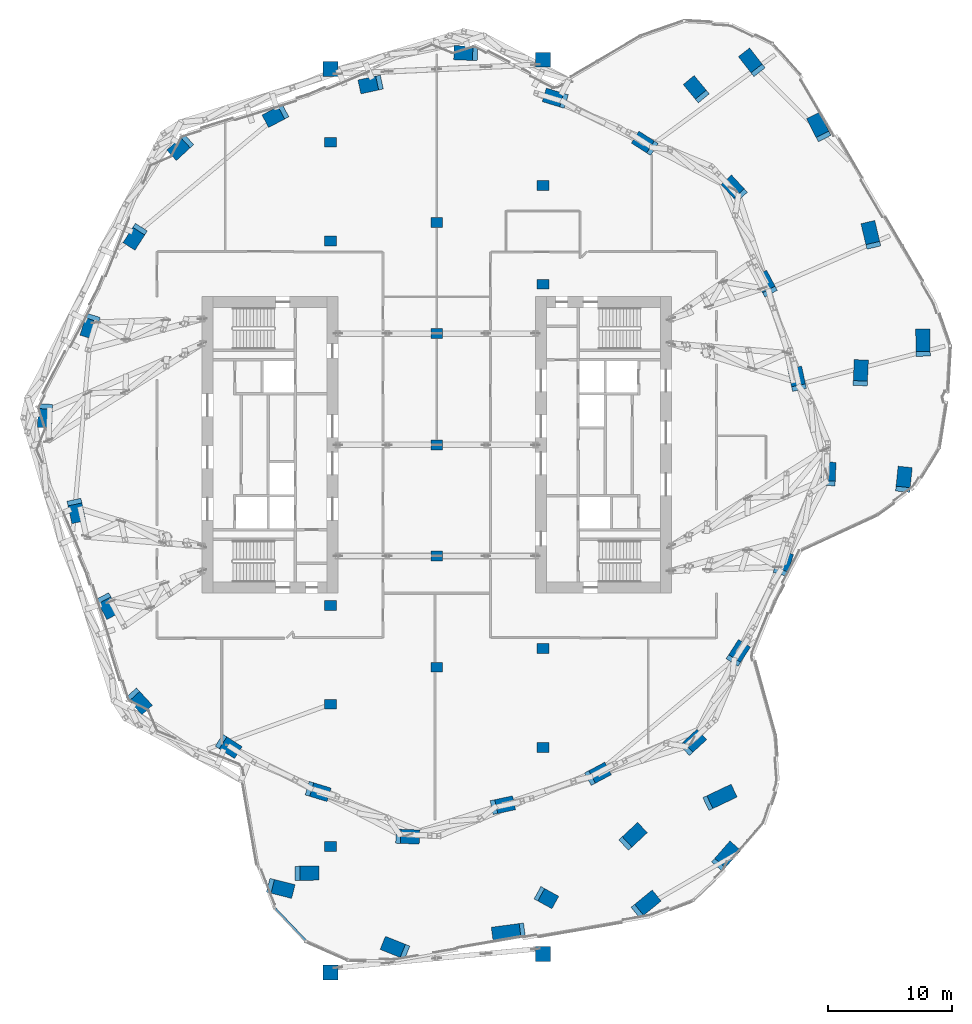
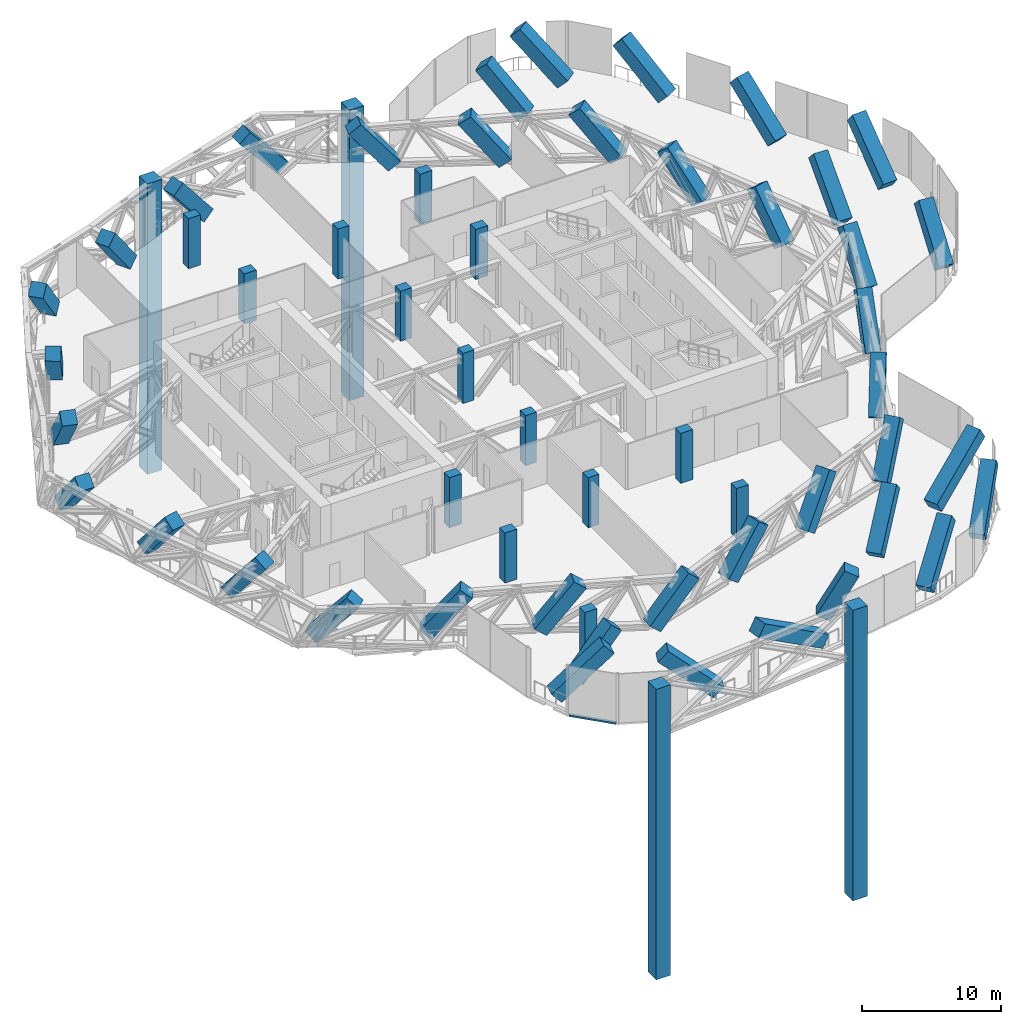
# One storey, part 1 of 31: 58 columns, 1 member, 1 element without a shape of its own.
"""IFC4 building model written with IfcOpenShell, lengths in metres."""

from ifc_helpers import new_model, si_unit, direction, frame, origin, origin_2d, place, context, subcontext, project, spatial, rectangle, extrude, material, material_profile, profile_set, type_object, element, aggregate, save


model = new_model("IFC4")

# Units and contexts
model_context = context("Model", 3, precision=1e-05, world=origin(), true_north=direction((0.0, 1.0)))
body_context = subcontext(model_context, "Body", "Model", "MODEL_VIEW")
ifc_project = project(units=[si_unit("LENGTHUNIT", "METRE"), si_unit("AREAUNIT", "SQUARE_METRE"), si_unit("VOLUMEUNIT", "CUBIC_METRE"), si_unit("PLANEANGLEUNIT", "RADIAN"), si_unit("MASSUNIT", "GRAM", prefix="KILO")], contexts=[model_context])

# Site, building, storey
site_placement = place(None, origin())
site = spatial("IfcSite", under=ifc_project, at=site_placement, CompositionType="ELEMENT")
building_placement = place(site_placement, origin())
building = spatial("IfcBuilding", under=site, at=building_placement, Name="Orlundy Tower", CompositionType="ELEMENT")
storey_placement = place(building_placement, frame((0.0, 0.0, 271.0)))
storey = spatial("IfcBuildingStorey", under=building, at=storey_placement, Name="L72", CompositionType="ELEMENT", Elevation=271.0)

# Columns
ifc_material_1 = material(Name="Concrete C60/75", Category="concrete")
ifc_material_profile_1 = material_profile(ifc_material_1, rectangle(XDim=1.0, YDim=0.800048828125, at=origin_2d()), Name="RC1000X800")
ifc_profile_set_1 = profile_set([ifc_material_profile_1], Name="Concrete C60/75")
column_type_1 = type_object("IfcColumnType", Name="RC COLUMN RC1000X800 C60/75", PredefinedType="COLUMN", material=ifc_profile_set_1)
for number, where, z_axis, x_axis, name in (
    (1, (8.60009765625, -24.5, 0.0), (0.0, 0.0, 1.0), (1.0, 0.0, 0.0), "Column C-SE2 L72"),
    (2, (8.60009765625, -16.5, 0.0), (0.0, 0.0, 1.0), (1.0, 0.0, 0.0), "Column C-SE3 L72"),
    (3, (8.60009765625, 13.0, 0.0), (0.0, 0.0, 1.0), (1.0, 0.0, 0.0), "Column C-SE4 L72"),
    (4, (8.60009765625, 21.0, 0.0), (0.0, 0.0, 1.0), (1.0, 0.0, 0.0), "Column C-SE5 L72"),
    (5, (-8.60009765625, 24.5, 0.0), (0.0, 0.0, 1.0), (1.0, 0.0, 0.0), "Column C-SW1 L72"),
    (6, (-8.60009765625, 16.5, 0.0), (0.0, 0.0, 1.0), (1.0, 0.0, 0.0), "Column C-SW2 L72"),
    (7, (-8.60009765625, -13.0, 0.0), (0.0, 0.0, 1.0), (1.0, 0.0, 0.0), "Column C-SW3 L72"),
    (8, (-8.60009765625, -21.0, 0.0), (0.0, 0.0, 1.0), (1.0, 0.0, 0.0), "Column C-SW4 L72"),
    (9, (-8.60009765625, -32.5, 0.0), (0.0, 0.0, 1.0), (1.0, 0.0, 0.0), "Column C-SW5 L72"),
):
    element("IfcColumn", number, at=place(storey_placement, frame(where, z_axis=z_axis, x_axis=x_axis)), inside=storey, type_object=column_type_1, Name=name, PredefinedType="COLUMN", context=body_context, shape_type="SweptSolid", body=[
        extrude(rectangle(XDim=1.0, YDim=0.800048828125, at=origin_2d()), origin(), (0.0, 0.0, 1.0), 4.39990234375),
    ])
ifc_material_2 = material(Name="Concrete C60/75", Category="concrete")
ifc_material_profile_2 = material_profile(ifc_material_2, rectangle(XDim=1.14990234375, YDim=1.14990234375, at=origin_2d()), Name="RC1150X1150")
ifc_profile_set_2 = profile_set([ifc_material_profile_2], Name="Concrete C60/75")
column_type_2 = type_object("IfcColumnType", Name="RC COLUMN RC1150X1150 C60/75", PredefinedType="COLUMN", material=ifc_profile_set_2)
column_1_placement = place(storey_placement, frame((37.758056640625, -3.389892578125, 0.40771484375), z_axis=(0.072766251237, 0.705280285913, 0.705184224855), x_axis=(-0.994719730425, 0.102628738191, 0.0)))
element("IfcColumn", 10, at=column_1_placement, inside=storey, type_object=column_type_2, Name="Column C-A1-1 L72 strut", PredefinedType="COLUMN", context=body_context, shape_type="SweptSolid", body=[
    extrude(rectangle(XDim=1.14990234375, YDim=1.14990234375, at=origin_2d()), origin(), (0.0, 0.0, 1.0), 5.0830078125),
])
column_2_placement = place(storey_placement, frame((39.376953125, 7.533935546875, 0.4482421875), z_axis=(-0.013400537954, 0.7793700494, 0.626420586891), x_axis=(-0.999852214861, -0.017191522261, 0.0)))
element("IfcColumn", 11, at=column_2_placement, inside=storey, type_object=column_type_2, Name="Column C-A2-5 L72 strut", PredefinedType="COLUMN", context=body_context, shape_type="SweptSolid", body=[
    extrude(rectangle(XDim=1.14990234375, YDim=1.14990234375, at=origin_2d()), origin(), (0.0, 0.0, 1.0), 5.59326171875),
])
column_3_placement = place(storey_placement, frame((34.294921875, 5.181884765625, 0.423828125), z_axis=(0.034652828269, 0.736163568901, 0.675915957287), x_axis=(-0.998893942419, 0.047020121217, 0.0)))
element("IfcColumn", 12, at=column_3_placement, inside=storey, type_object=column_type_2, Name="Column C-A2-6 L72 strut", PredefinedType="COLUMN", context=body_context, shape_type="SweptSolid", body=[
    extrude(rectangle(XDim=1.14990234375, YDim=1.14990234375, at=origin_2d()), origin(), (0.0, 0.0, 1.0), 5.255859375),
])
column_4_placement = place(storey_placement, frame((35.302978515625, 16.3369140625, 0.431884765625), z_axis=(-0.172551287455, 0.730869812545, 0.660344887395), x_axis=(-0.973244127124, -0.229773516789, 0.0)))
element("IfcColumn", 13, at=column_4_placement, inside=storey, type_object=column_type_2, Name="Column C-A3-5 L72 strut", PredefinedType="COLUMN", context=body_context, shape_type="SweptSolid", body=[
    extrude(rectangle(XDim=1.14990234375, YDim=1.14990234375, at=origin_2d()), origin(), (0.0, 0.0, 1.0), 5.35546875),
])
column_5_placement = place(storey_placement, frame((31.22900390625, 25.139892578125, 0.425048828125), z_axis=(-0.33637930542, 0.658167660521, 0.673546058952), x_axis=(-0.890444275985, -0.455092288845, 0.0)))
element("IfcColumn", 14, at=column_5_placement, inside=storey, type_object=column_type_2, Name="Column C-A4-5 L72 strut", PredefinedType="COLUMN", context=body_context, shape_type="SweptSolid", body=[
    extrude(rectangle(XDim=1.14990234375, YDim=1.14990234375, at=origin_2d()), origin(), (0.0, 0.0, 1.0), 5.270751953125),
])
column_6_placement = place(storey_placement, frame((25.885009765625, 30.48291015625, 0.413330078125), z_axis=(-0.442459063078, 0.566773060409, 0.694980773471), x_axis=(-0.788248591738, -0.615356935139, 0.0)))
element("IfcColumn", 15, at=column_6_placement, inside=storey, type_object=column_type_2, Name="Column C-A5-5 L72 strut", PredefinedType="COLUMN", context=body_context, shape_type="SweptSolid", body=[
    extrude(rectangle(XDim=1.14990234375, YDim=1.14990234375, at=origin_2d()), origin(), (0.0, 0.0, 1.0), 5.1416015625),
])
column_7_placement = place(storey_placement, frame((21.346923828125, 28.383056640625, 0.380615234375), z_axis=(-0.421304880132, 0.51033420652, 0.749707406681), x_axis=(-0.771166161964, -0.636633922, 0.0)))
element("IfcColumn", 16, at=column_7_placement, inside=storey, type_object=column_type_2, Name="Column C-A5-6 L72 strut", PredefinedType="COLUMN", context=body_context, shape_type="SweptSolid", body=[
    extrude(rectangle(XDim=1.14990234375, YDim=1.14990234375, at=origin_2d()), origin(), (0.0, 0.0, 1.0), 4.853759765625),
])
column_8_placement = place(storey_placement, frame((-13.27392578125, -35.742919921875, 0.4267578125), z_axis=(0.719314269139, -0.182401007499, 0.670311013393), x_axis=(0.245796865729, 0.969321360952, 0.0)))
element("IfcColumn", 17, at=column_8_placement, inside=storey, type_object=column_type_2, Name="Column C-B1-1 L72 strut", PredefinedType="COLUMN", context=body_context, shape_type="SweptSolid", body=[
    extrude(rectangle(XDim=1.14990234375, YDim=1.14990234375, at=origin_2d()), origin(), (0.0, 0.0, 1.0), 5.291015625),
])
column_9_placement = place(storey_placement, frame((-11.031005859375, -34.68701171875, 0.380615234375), z_axis=(0.661609486986, 0.009054874366, 0.749793902336), x_axis=(-0.013684849791, 0.999906358059, 0.0)))
element("IfcColumn", 18, at=column_9_placement, inside=storey, type_object=column_type_2, Name="Column C-B1-6 L72 strut", PredefinedType="COLUMN", context=body_context, shape_type="SweptSolid", body=[
    extrude(rectangle(XDim=1.14990234375, YDim=1.14990234375, at=origin_2d()), origin(), (0.0, 0.0, 1.0), 4.853271484375),
])
column_10_placement = place(storey_placement, frame((-2.742919921875, -40.969970703125, 0.432373046875), z_axis=(-0.697459313242, 0.281341513747, 0.659088354483), x_axis=(-0.374091761429, -0.927391693963, 0.0)))
element("IfcColumn", 19, at=column_10_placement, inside=storey, type_object=column_type_2, Name="Column C-B2-5 L72 strut", PredefinedType="COLUMN", context=body_context, shape_type="SweptSolid", body=[
    extrude(rectangle(XDim=1.14990234375, YDim=1.14990234375, at=origin_2d()), origin(), (0.0, 0.0, 1.0), 5.36376953125),
])
column_11_placement = place(storey_placement, frame((6.81396484375, -39.31396484375, 0.49609375), z_axis=(-0.8553549356, -0.113180512925, 0.50552755181), x_axis=(0.131176565227, -0.99135902111, 0.0)))
element("IfcColumn", 20, at=column_11_placement, inside=storey, type_object=column_type_2, Name="Column C-B3-5 L72 strut", PredefinedType="COLUMN", context=body_context, shape_type="SweptSolid", body=[
    extrude(rectangle(XDim=1.14990234375, YDim=1.14990234375, at=origin_2d()), origin(), (0.0, 0.0, 1.0), 6.740966796875),
])
column_12_placement = place(storey_placement, frame((16.3720703125, -37.656982421875, 0.4482421875), z_axis=(0.602730698746, 0.494206869016, 0.626478471623), x_axis=(-0.63405480604, 0.773288111209, 0.0)))
element("IfcColumn", 21, at=column_12_placement, inside=storey, type_object=column_type_2, Name="Column C-B4-5 L72 strut", PredefinedType="COLUMN", context=body_context, shape_type="SweptSolid", body=[
    extrude(rectangle(XDim=1.14990234375, YDim=1.14990234375, at=origin_2d()), origin(), (0.0, 0.0, 1.0), 5.592529296875),
])
column_13_placement = place(storey_placement, frame((15.4150390625, -32.138916015625, 0.423583984375), z_axis=(0.538724545929, 0.502719757804, 0.676053776505), x_axis=(-0.682253102022, 0.731116067928, 0.0)))
element("IfcColumn", 22, at=column_13_placement, inside=storey, type_object=column_type_2, Name="Column C-B4-6 L72 strut", PredefinedType="COLUMN", context=body_context, shape_type="SweptSolid", body=[
    extrude(rectangle(XDim=1.14990234375, YDim=1.14990234375, at=origin_2d()), origin(), (0.0, 0.0, 1.0), 5.255126953125),
])
column_14_placement = place(storey_placement, frame((22.916015625, -33.876953125, 0.45458984375), z_axis=(0.520245201969, 0.595122815229, 0.612514297485), x_axis=(-0.752882100156, 0.65815540966, 0.0)))
element("IfcColumn", 23, at=column_14_placement, inside=storey, type_object=column_type_2, Name="Column C-B5-5 L72 strut", PredefinedType="COLUMN", context=body_context, shape_type="SweptSolid", body=[
    extrude(rectangle(XDim=1.14990234375, YDim=1.14990234375, at=origin_2d()), origin(), (0.0, 0.0, 1.0), 5.699462890625),
])
column_15_placement = place(storey_placement, frame((22.06201171875, -28.950927734375, 0.488037109375), z_axis=(0.766217870696, 0.364854876999, 0.528952827156), x_axis=(-0.429923229941, 0.902865447538, 0.0)))
element("IfcColumn", 24, at=column_15_placement, inside=storey, type_object=column_type_2, Name="Column C-B5-6 L72 strut", PredefinedType="COLUMN", context=body_context, shape_type="SweptSolid", body=[
    extrude(rectangle(XDim=1.14990234375, YDim=1.14990234375, at=origin_2d()), origin(), (0.0, 0.0, 1.0), 6.473388671875),
])
column_16_placement = place(storey_placement, frame((2.865966796875, 31.693115234375, 0.37548828125), z_axis=(-0.652520980546, 0.026550783802, 0.757305371582), x_axis=(-0.040655906227, -0.999173206851, 0.0)))
element("IfcColumn", 25, at=column_16_placement, inside=storey, type_object=column_type_2, Name="Column C-H01 L72 strut", PredefinedType="COLUMN", context=body_context, shape_type="SweptSolid", body=[
    extrude(rectangle(XDim=1.14990234375, YDim=1.14990234375, at=origin_2d()), origin(), (0.0, 0.0, 1.0), 4.818359375),
])
for number, where, z_axis, x_axis, name in (
    (26, (10.055908203125, 27.923095703125, 0.358154296875), (-0.595838729876, 0.181971107793, 0.782216545407), (-0.292085341469, -0.956392259117, 0.0), "Column C-H02 L72 strut"),
    (27, (17.24609375, 24.154052734375, 0.358154296875), (-0.524287710541, 0.336564403919, 0.782206365731), (-0.540214945963, -0.841527071554, 0.0), "Column C-H03 L72 strut"),
):
    element("IfcColumn", number, at=place(storey_placement, frame(where, z_axis=z_axis, x_axis=x_axis)), inside=storey, type_object=column_type_2, Name=name, PredefinedType="COLUMN", context=body_context, shape_type="SweptSolid", body=[
        extrude(rectangle(XDim=1.14990234375, YDim=1.14990234375, at=origin_2d()), origin(), (0.0, 0.0, 1.0), 4.709228515625),
    ])
column_17_placement = place(storey_placement, frame((24.43701171875, 20.384033203125, 0.37548828125), z_axis=(-0.442533442204, 0.480082655609, 0.757419828308), x_axis=(-0.735276364045, -0.677767414735, 0.0)))
element("IfcColumn", 28, at=column_17_placement, inside=storey, type_object=column_type_2, Name="Column C-H04 L72 strut", PredefinedType="COLUMN", context=body_context, shape_type="SweptSolid", body=[
    extrude(rectangle(XDim=1.14990234375, YDim=1.14990234375, at=origin_2d()), origin(), (0.0, 0.0, 1.0), 4.81787109375),
])
for number, where, z_axis, x_axis, name in (
    (29, (26.85498046875, 12.634033203125, 0.358154296875), (-0.292606782728, 0.550011580078, 0.782220258292), (-0.882840821421, -0.469672315591, 0.0), "Column C-H05 L72 strut"),
    (30, (29.27392578125, 4.884033203125, 0.3583984375), (-0.132717470137, 0.608789551492, 0.782151746859), (-0.977052294388, -0.212999563453, 0.0), "Column C-H06 L72 strut"),
):
    element("IfcColumn", number, at=place(storey_placement, frame(where, z_axis=z_axis, x_axis=x_axis)), inside=storey, type_object=column_type_2, Name=name, PredefinedType="COLUMN", context=body_context, shape_type="SweptSolid", body=[
        extrude(rectangle(XDim=1.14990234375, YDim=1.14990234375, at=origin_2d()), origin(), (0.0, 0.0, 1.0), 4.709228515625),
    ])
column_18_placement = place(storey_placement, frame((31.693115234375, -2.865966796875, 0.37548828125), z_axis=(0.026550783802, 0.652520980546, 0.757305371582), x_axis=(-0.999173206851, 0.040655906227, 0.0)))
element("IfcColumn", 31, at=column_18_placement, inside=storey, type_object=column_type_2, Name="Column C-H07 L72 strut", PredefinedType="COLUMN", context=body_context, shape_type="SweptSolid", body=[
    extrude(rectangle(XDim=1.14990234375, YDim=1.14990234375, at=origin_2d()), origin(), (0.0, 0.0, 1.0), 4.818359375),
])
for number, where, z_axis, x_axis, name in (
    (32, (27.923095703125, -10.055908203125, 0.358154296875), (0.181971107793, 0.595838729876, 0.782216545407), (-0.956392259117, 0.292085341469, 0.0), "Column C-H08 L72 strut"),
    (33, (24.154052734375, -17.24609375, 0.358154296875), (0.336564403919, 0.524287710541, 0.782206365731), (-0.841527071554, 0.540214945963, 0.0), "Column C-H09 L72 strut"),
):
    element("IfcColumn", number, at=place(storey_placement, frame(where, z_axis=z_axis, x_axis=x_axis)), inside=storey, type_object=column_type_2, Name=name, PredefinedType="COLUMN", context=body_context, shape_type="SweptSolid", body=[
        extrude(rectangle(XDim=1.14990234375, YDim=1.14990234375, at=origin_2d()), origin(), (0.0, 0.0, 1.0), 4.709228515625),
    ])
column_19_placement = place(storey_placement, frame((20.384033203125, -24.43701171875, 0.37548828125), z_axis=(0.480082655609, 0.442533442204, 0.757419828308), x_axis=(-0.677767414735, 0.735276364045, 0.0)))
element("IfcColumn", 34, at=column_19_placement, inside=storey, type_object=column_type_2, Name="Column C-H10 L72 strut", PredefinedType="COLUMN", context=body_context, shape_type="SweptSolid", body=[
    extrude(rectangle(XDim=1.14990234375, YDim=1.14990234375, at=origin_2d()), origin(), (0.0, 0.0, 1.0), 4.81787109375),
])
for number, where, z_axis, x_axis, name in (
    (35, (12.634033203125, -26.85498046875, 0.358154296875), (0.550011580078, 0.292606782728, 0.782220258292), (-0.469672315591, 0.882840821421, 0.0), "Column C-H11 L72 strut"),
    (36, (4.884033203125, -29.27392578125, 0.3583984375), (0.608789551492, 0.132717470137, 0.782151746859), (-0.212999563453, 0.977052294388, 0.0), "Column C-H12 L72 strut"),
):
    element("IfcColumn", number, at=place(storey_placement, frame(where, z_axis=z_axis, x_axis=x_axis)), inside=storey, type_object=column_type_2, Name=name, PredefinedType="COLUMN", context=body_context, shape_type="SweptSolid", body=[
        extrude(rectangle(XDim=1.14990234375, YDim=1.14990234375, at=origin_2d()), origin(), (0.0, 0.0, 1.0), 4.709228515625),
    ])
column_20_placement = place(storey_placement, frame((-2.865966796875, -31.693115234375, 0.37548828125), z_axis=(0.652520980546, -0.026550783802, 0.757305371582), x_axis=(0.040655906227, 0.999173206851, 0.0)))
element("IfcColumn", 37, at=column_20_placement, inside=storey, type_object=column_type_2, Name="Column C-H13 L72 strut", PredefinedType="COLUMN", context=body_context, shape_type="SweptSolid", body=[
    extrude(rectangle(XDim=1.14990234375, YDim=1.14990234375, at=origin_2d()), origin(), (0.0, 0.0, 1.0), 4.818359375),
])
for number, where, z_axis, x_axis, name in (
    (38, (-10.055908203125, -27.923095703125, 0.358154296875), (0.595838729876, -0.181971107793, 0.782216545407), (0.292085341469, 0.956392259117, 0.0), "Column C-H14 L72 strut"),
    (39, (-17.24609375, -24.154052734375, 0.358154296875), (0.524287710541, -0.336564403919, 0.782206365731), (0.540214945963, 0.841527071554, 0.0), "Column C-H15 L72 strut"),
):
    element("IfcColumn", number, at=place(storey_placement, frame(where, z_axis=z_axis, x_axis=x_axis)), inside=storey, type_object=column_type_2, Name=name, PredefinedType="COLUMN", context=body_context, shape_type="SweptSolid", body=[
        extrude(rectangle(XDim=1.14990234375, YDim=1.14990234375, at=origin_2d()), origin(), (0.0, 0.0, 1.0), 4.709228515625),
    ])
column_21_placement = place(storey_placement, frame((-24.43701171875, -20.384033203125, 0.37548828125), z_axis=(0.442533442204, -0.480082655609, 0.757419828308), x_axis=(0.735276364045, 0.677767414735, 0.0)))
element("IfcColumn", 40, at=column_21_placement, inside=storey, type_object=column_type_2, Name="Column C-H16 L72 strut", PredefinedType="COLUMN", context=body_context, shape_type="SweptSolid", body=[
    extrude(rectangle(XDim=1.14990234375, YDim=1.14990234375, at=origin_2d()), origin(), (0.0, 0.0, 1.0), 4.81787109375),
])
for number, where, z_axis, x_axis, name in (
    (41, (-26.85498046875, -12.634033203125, 0.358154296875), (0.292606782728, -0.550011580078, 0.782220258292), (0.882840821421, 0.469672315591, 0.0), "Column C-H17 L72 strut"),
    (42, (-29.27392578125, -4.884033203125, 0.3583984375), (0.132717470137, -0.608789551492, 0.782151746859), (0.977052294388, 0.212999563453, 0.0), "Column C-H18 L72 strut"),
):
    element("IfcColumn", number, at=place(storey_placement, frame(where, z_axis=z_axis, x_axis=x_axis)), inside=storey, type_object=column_type_2, Name=name, PredefinedType="COLUMN", context=body_context, shape_type="SweptSolid", body=[
        extrude(rectangle(XDim=1.14990234375, YDim=1.14990234375, at=origin_2d()), origin(), (0.0, 0.0, 1.0), 4.709228515625),
    ])
column_22_placement = place(storey_placement, frame((-31.693115234375, 2.865966796875, 0.37548828125), z_axis=(-0.026550783802, -0.652520980546, 0.757305371582), x_axis=(0.999173206851, -0.040655906227, 0.0)))
element("IfcColumn", 43, at=column_22_placement, inside=storey, type_object=column_type_2, Name="Column C-H19 L72 strut", PredefinedType="COLUMN", context=body_context, shape_type="SweptSolid", body=[
    extrude(rectangle(XDim=1.14990234375, YDim=1.14990234375, at=origin_2d()), origin(), (0.0, 0.0, 1.0), 4.818359375),
])
for number, where, z_axis, x_axis, name in (
    (44, (-27.923095703125, 10.055908203125, 0.358154296875), (-0.181971107793, -0.595838729876, 0.782216545407), (0.956392259117, -0.292085341469, 0.0), "Column C-H20 L72 strut"),
    (45, (-24.154052734375, 17.24609375, 0.358154296875), (-0.336564403919, -0.524287710541, 0.782206365731), (0.841527071554, -0.540214945963, 0.0), "Column C-H21 L72 strut"),
):
    element("IfcColumn", number, at=place(storey_placement, frame(where, z_axis=z_axis, x_axis=x_axis)), inside=storey, type_object=column_type_2, Name=name, PredefinedType="COLUMN", context=body_context, shape_type="SweptSolid", body=[
        extrude(rectangle(XDim=1.14990234375, YDim=1.14990234375, at=origin_2d()), origin(), (0.0, 0.0, 1.0), 4.709228515625),
    ])
column_23_placement = place(storey_placement, frame((-20.384033203125, 24.43701171875, 0.37548828125), z_axis=(-0.480082655609, -0.442533442204, 0.757419828308), x_axis=(0.677767414735, -0.735276364045, 0.0)))
element("IfcColumn", 46, at=column_23_placement, inside=storey, type_object=column_type_2, Name="Column C-H22 L72 strut", PredefinedType="COLUMN", context=body_context, shape_type="SweptSolid", body=[
    extrude(rectangle(XDim=1.14990234375, YDim=1.14990234375, at=origin_2d()), origin(), (0.0, 0.0, 1.0), 4.81787109375),
])
for number, where, z_axis, x_axis, name in (
    (47, (-12.634033203125, 26.85498046875, 0.358154296875), (-0.550011580078, -0.292606782728, 0.782220258292), (0.469672315591, -0.882840821421, 0.0), "Column C-H23 L72 strut"),
    (48, (-4.884033203125, 29.27392578125, 0.3583984375), (-0.608789551492, -0.132717470137, 0.782151746859), (0.212999563453, -0.977052294388, 0.0), "Column C-H24 L72 strut"),
):
    element("IfcColumn", number, at=place(storey_placement, frame(where, z_axis=z_axis, x_axis=x_axis)), inside=storey, type_object=column_type_2, Name=name, PredefinedType="COLUMN", context=body_context, shape_type="SweptSolid", body=[
        extrude(rectangle(XDim=1.14990234375, YDim=1.14990234375, at=origin_2d()), origin(), (0.0, 0.0, 1.0), 4.709228515625),
    ])
column_24_placement = place(storey_placement, frame((8.60009765625, -36.5, 0.26953125), z_axis=(0.410888051695, -0.225385167019, 0.88338696813), x_axis=(0.480930153024, 0.87675891094, 0.0)))
element("IfcColumn", 49, at=column_24_placement, inside=storey, type_object=column_type_2, Name="Column C-SE1 L72 strut", PredefinedType="COLUMN", context=body_context, shape_type="SweptSolid", body=[
    extrude(rectangle(XDim=1.14990234375, YDim=1.14990234375, at=origin_2d()), origin(), (0.0, 0.0, 1.0), 4.370849609375),
])
ifc_material_3 = material(Name="Concrete C60/75", Category="concrete")
ifc_material_profile_3 = material_profile(ifc_material_3, rectangle(XDim=1.199951171875, YDim=1.199951171875, at=origin_2d()), Name="RC1200X1200")
ifc_profile_set_3 = profile_set([ifc_material_profile_3], Name="Concrete C60/75")
column_type_3 = type_object("IfcColumnType", Name="RC COLUMN RC1200X1200 C60/75", PredefinedType="COLUMN", material=ifc_profile_set_3)
for number, where, z_axis, x_axis, name in (
    (50, (-8.60009765625, 30.429931640625, -21.5), (0.0, 0.0, 1.0), (1.0, 0.0, 0.0), "Portal gate jamb NW"),
    (51, (8.60009765625, 31.178955078125, -21.5), (0.0, 0.0, 1.0), (1.0, 0.0, 0.0), "Portal gate jamb NE"),
    (52, (-8.60009765625, -42.722900390625, -21.5), (0.0, 0.0, 1.0), (1.0, 0.0, 0.0), "Portal gate jamb SW"),
    (53, (8.60009765625, -41.217041015625, -21.5), (0.0, 0.0, 1.0), (1.0, 0.0, 0.0), "Portal gate jamb SE"),
):
    element("IfcColumn", number, at=place(storey_placement, frame(where, z_axis=z_axis, x_axis=x_axis)), inside=storey, type_object=column_type_3, Name=name, PredefinedType="COLUMN", context=body_context, shape_type="SweptSolid", body=[
        extrude(rectangle(XDim=1.199951171875, YDim=1.199951171875, at=origin_2d()), origin(), (0.0, 0.0, 1.0), 25.5),
    ])
ifc_material_4 = material(Name="Concrete C60/75", Category="concrete")
ifc_material_profile_4 = material_profile(ifc_material_4, rectangle(XDim=0.89990234375, YDim=0.800048828125, at=origin_2d()), Name="RC900X800")
ifc_profile_set_4 = profile_set([ifc_material_profile_4], Name="Concrete C60/75")
column_type_4 = type_object("IfcColumnType", Name="RC COLUMN RC900X800 C60/75", PredefinedType="COLUMN", material=ifc_profile_set_4)
for number, where, z_axis, x_axis, name in (
    (54, (0.0, -18.0, 0.0), (0.0, 0.0, 1.0), (1.0, 0.0, 0.0), "Column C-M1 L72"),
    (55, (0.0, -9.0, 0.0), (0.0, 0.0, 1.0), (1.0, 0.0, 0.0), "Column C-M2 L72"),
    (56, (0.0, 0.0, 0.0), (0.0, 0.0, 1.0), (1.0, 0.0, 0.0), "Column C-M3 L72"),
    (57, (0.0, 9.0, 0.0), (0.0, 0.0, 1.0), (1.0, 0.0, 0.0), "Column C-M4 L72"),
    (58, (0.0, 18.0, 0.0), (0.0, 0.0, 1.0), (1.0, 0.0, 0.0), "Column C-M5 L72"),
):
    element("IfcColumn", number, at=place(storey_placement, frame(where, z_axis=z_axis, x_axis=x_axis)), inside=storey, type_object=column_type_4, Name=name, PredefinedType="COLUMN", context=body_context, shape_type="SweptSolid", body=[
        extrude(rectangle(XDim=0.89990234375, YDim=0.800048828125, at=origin_2d()), origin(), (0.0, 0.0, 1.0), 4.39990234375),
    ])

# Curtain wall, member
ifc_material_5 = material(Name="Aluminium bronze anodised", Category="aluminium")
curtain_wall_type = type_object("IfcCurtainWallType", Name="CW4 wall", PredefinedType="NOTDEFINED", material=ifc_material_5)
curtain_wall_placement = place(storey_placement, origin())
curtain_wall = element("IfcCurtainWall", 59, at=curtain_wall_placement, inside=storey, type_object=curtain_wall_type, Name="CW4 run 043", PredefinedType="NOTDEFINED")
ifc_material_6 = material(Name="Aluminium bronze anodised", Category="aluminium")
ifc_material_profile_5 = material_profile(ifc_material_6, rectangle(XDim=0.199951171875, YDim=0.14990234375, at=origin_2d()), Name="CW4 transom 200x150")
ifc_profile_set_5 = profile_set([ifc_material_profile_5], Name="Aluminium bronze anodised")
member_type = type_object("IfcMemberType", Name="CW4 transom 200x150", PredefinedType="USERDEFINED", material=ifc_profile_set_5)
member_placement = place(storey_placement, frame((-10.650634765625, -40.114990234375, -0.375), z_axis=(-0.689507001351, 0.724279017429, 0.0), x_axis=(-0.724279017429, -0.689507001351, 0.0)))
member = element("IfcMember", 60, at=member_placement, type_object=member_type, Name="CW4 transom", ObjectType="TRANSOM", PredefinedType="USERDEFINED", context=body_context, shape_type="SweptSolid", body=[
    extrude(rectangle(XDim=0.199951171875, YDim=0.14990234375, at=origin_2d()), origin(), (0.0, 0.0, 1.0), 3.53857421875),
])
aggregate(curtain_wall, [member])

save(model, "model.ifc")
